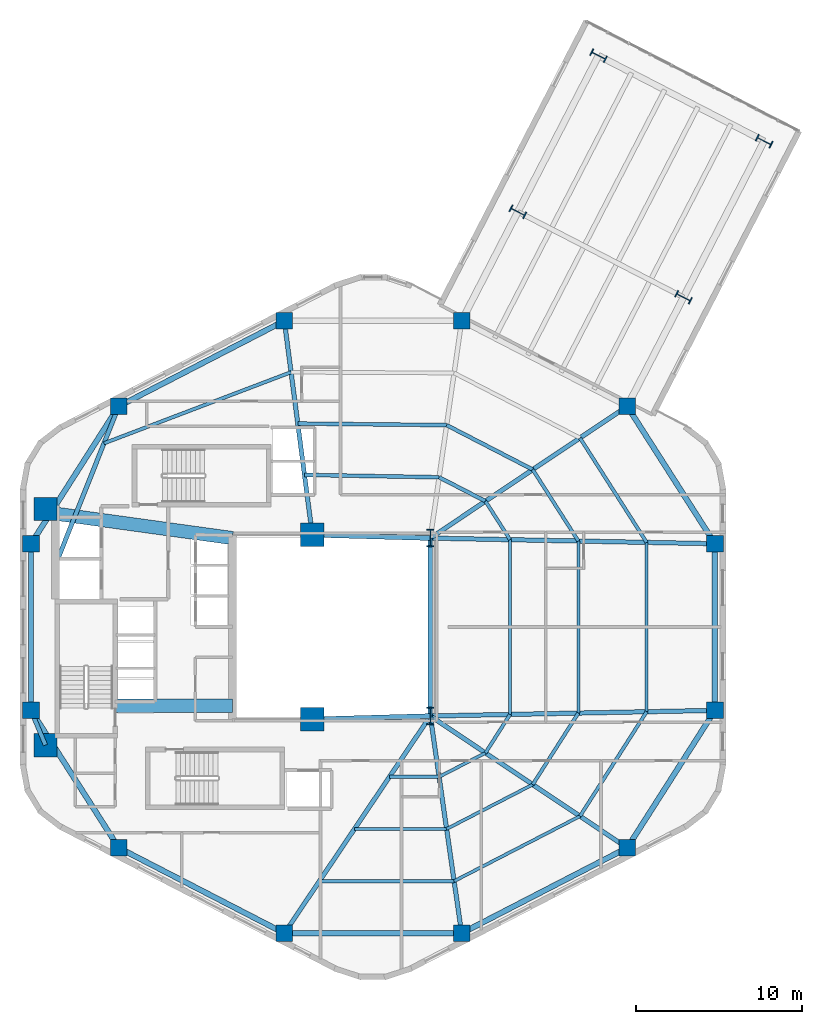
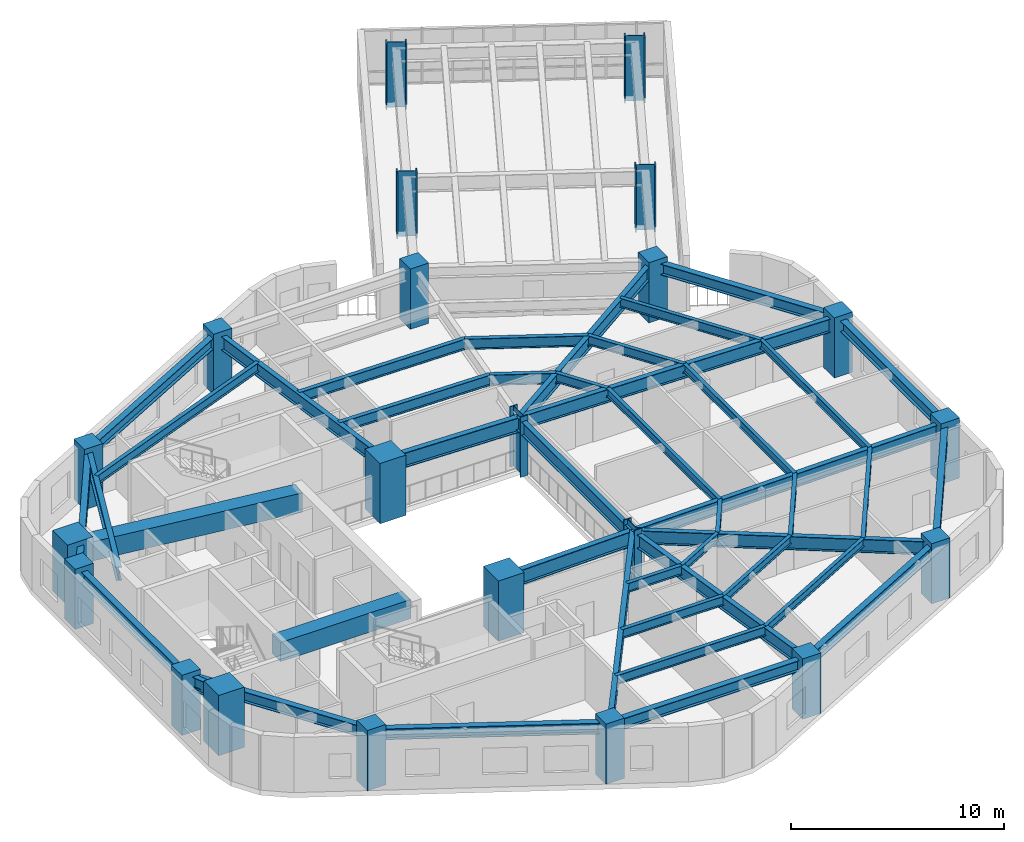
# One storey, part 1 of 10: 44 beams, 22 columns.
"""IFC4 building model written with IfcOpenShell, lengths in metres."""

from ifc_helpers import new_model, si_unit, direction, frame, origin, origin_2d, place, context, subcontext, project, spatial, rectangle, i_section, extrude, material, material_profile, profile_set, type_object, element, save


model = new_model("IFC4")

# Units and contexts
model_context = context("Model", 3, precision=1e-05, world=origin(), true_north=direction((0.0, 1.0)))
body_context = subcontext(model_context, "Body", "Model", "MODEL_VIEW")
ifc_project = project(units=[si_unit("LENGTHUNIT", "METRE"), si_unit("AREAUNIT", "SQUARE_METRE"), si_unit("VOLUMEUNIT", "CUBIC_METRE"), si_unit("PLANEANGLEUNIT", "RADIAN"), si_unit("MASSUNIT", "GRAM", prefix="KILO"), si_unit("THERMODYNAMICTEMPERATUREUNIT", "KELVIN"), si_unit("POWERUNIT", "WATT")], contexts=[model_context])

# Site, building, storey
site_placement = place(None, origin())
site = spatial("IfcSite", under=ifc_project, at=site_placement, CompositionType="ELEMENT")
building_placement = place(site_placement, origin())
building = spatial("IfcBuilding", under=site, at=building_placement, Name="Skarre Station Tower", CompositionType="ELEMENT")
storey_placement = place(building_placement, frame((0.0, 0.0, 111.89990234375)))
storey = spatial("IfcBuildingStorey", under=building, at=storey_placement, Name="L29", CompositionType="ELEMENT", Elevation=111.89990234375)

# Columns
ifc_material_1 = material(Name="Concrete C60/75", Category="concrete")
ifc_material_profile_1 = material_profile(ifc_material_1, rectangle(XDim=1.0, YDim=1.0, at=origin_2d()), Name="Concrete C60/75")
ifc_profile_set_1 = profile_set([ifc_material_profile_1], Name="Concrete C60/75")
column_type_1 = type_object("IfcColumnType", Name="RC Structural Column RC-COL-1000X1000", PredefinedType="COLUMN", material=ifc_profile_set_1)
for number, where, z_axis, x_axis, name in (
    (1, (51.291015625, 37.277099609375, 0.0), (0.0, 0.0, 1.0), (1.0, 0.0, 0.0), "L29 Zone 2 Perimeter Column F0C1"),
    (2, (41.3310546875, 42.41796875, 0.0), (0.0, 0.0, 1.0), (1.0, 0.0, 0.0), "L29 Zone 2 Perimeter Column F0C2"),
    (3, (30.6689453125, 42.41796875, 0.0), (0.0, 0.0, 1.0), (1.0, 0.0, 0.0), "L29 Zone 2 Perimeter Column F1C1"),
    (4, (20.708984375, 37.277099609375, 0.0), (0.0, 0.0, 1.0), (1.0, 0.0, 0.0), "L29 Zone 2 Perimeter Column F1C2"),
    (5, (15.431884765625, 29.010986328125, 0.0), (0.0, 0.0, 1.0), (1.0, 0.0, 0.0), "L29 Zone 2 Perimeter Column F2C1"),
    (6, (15.431884765625, 18.989013671875, 0.0), (0.0, 0.0, 1.0), (1.0, 0.0, 0.0), "L29 Zone 2 Perimeter Column F2C2"),
    (7, (20.708984375, 10.722900390625, 0.0), (0.0, 0.0, 1.0), (1.0, 0.0, 0.0), "L29 Zone 2 Perimeter Column F3C1"),
    (8, (30.6689453125, 5.58203125, 0.0), (0.0, 0.0, 1.0), (1.0, 0.0, 0.0), "L29 Zone 2 Perimeter Column F3C2"),
    (9, (41.3310546875, 5.58203125, 0.0), (0.0, 0.0, 1.0), (1.0, 0.0, 0.0), "L29 Zone 2 Perimeter Column F4C1"),
    (10, (51.291015625, 10.722900390625, 0.0), (0.0, 0.0, 1.0), (1.0, 0.0, 0.0), "L29 Zone 2 Perimeter Column F4C2"),
    (11, (56.568115234375, 18.989013671875, 0.0), (0.0, 0.0, 1.0), (1.0, 0.0, 0.0), "L29 Zone 2 Perimeter Column F5C1"),
    (12, (56.568115234375, 29.010986328125, 0.0), (0.0, 0.0, 1.0), (1.0, 0.0, 0.0), "L29 Zone 2 Perimeter Column F5C2"),
):
    element("IfcColumn", number, at=place(storey_placement, frame(where, z_axis=z_axis, x_axis=x_axis)), inside=storey, type_object=column_type_1, Name=name, PredefinedType="COLUMN", context=body_context, shape_type="SweptSolid", body=[
        extrude(rectangle(XDim=1.0, YDim=1.0, at=origin_2d()), origin(), (0.0, 0.0, 1.0), 3.4501953125),
    ])
ifc_material_2 = material(Name="Concrete C70/85", Category="concrete")
ifc_material_profile_2 = material_profile(ifc_material_2, rectangle(XDim=1.39990234375, YDim=1.39990234375, at=origin_2d()), Name="Concrete C70/85")
ifc_profile_set_2 = profile_set([ifc_material_profile_2], Name="Concrete C70/85")
column_type_2 = type_object("IfcColumnType", Name="RC Structural Column RC-COL-1400X1400", PredefinedType="COLUMN", material=ifc_profile_set_2)
for number, where, z_axis, x_axis, name in (
    (13, (16.300048828125, 16.89990234375, 0.0), (0.0, 0.0, 1.0), (1.0, 0.0, 0.0), "L29 Core Column CC-SW"),
    (14, (16.300048828125, 31.10009765625, 0.0), (0.0, 0.0, 1.0), (1.0, 0.0, 0.0), "L29 Core Column CC-NW"),
    (15, (32.35009765625, 18.449951171875, 0.0), (0.0, 0.0, 1.0), (1.0, 0.0, 0.0), "L29 Core Column CC-SE"),
    (16, (32.35009765625, 29.550048828125, 0.0), (0.0, 0.0, 1.0), (1.0, 0.0, 0.0), "L29 Core Column CC-NE"),
):
    element("IfcColumn", number, at=place(storey_placement, frame(where, z_axis=z_axis, x_axis=x_axis)), inside=storey, type_object=column_type_2, Name=name, PredefinedType="COLUMN", context=body_context, shape_type="SweptSolid", body=[
        extrude(rectangle(XDim=1.39990234375, YDim=1.39990234375, at=origin_2d()), origin(), (0.0, 0.0, 1.0), 3.4501953125),
    ])
ifc_material_3 = material(Name="Steel ASTM A913 Grade 65", Category="steel")
ifc_material_profile_3 = material_profile(ifc_material_3, i_section(OverallWidth=0.430908203125, OverallDepth=0.987060546875, WebThickness=0.033935546875, FlangeThickness=0.06201171875, at=origin_2d()), Name="Steel ASTM A913 Grade 65")
ifc_profile_set_3 = profile_set([ifc_material_profile_3], Name="Steel ASTM A913 Grade 65")
column_type_3 = type_object("IfcColumnType", Name="Steel Column W36X441", PredefinedType="COLUMN", material=ifc_profile_set_3)
for number, where, z_axis, x_axis, name in (
    (17, (54.676025390625, 43.8349609375, -0.289794921875), (0.0, 0.0, 1.0), (0.458649554484, 0.888617232655, 0.0), "L29 SB-2 Sky-Bar Frame Column M1"),
    (18, (44.716064453125, 48.97607421875, -0.289794921875), (0.0, 0.0, 1.0), (0.458649554484, 0.888617232655, 0.0), "L29 SB-2 Sky-Bar Frame Column M2"),
    (19, (59.52392578125, 53.22705078125, -0.289794921875), (0.0, 0.0, 1.0), (0.458649554484, 0.888617232655, 0.0), "L29 SB-2 Sky-Bar Frame Column T1"),
    (20, (49.56396484375, 58.367919921875, -0.289794921875), (0.0, 0.0, 1.0), (0.458649554484, 0.888617232655, 0.0), "L29 SB-2 Sky-Bar Frame Column T2"),
):
    element("IfcColumn", number, at=place(storey_placement, frame(where, z_axis=z_axis, x_axis=x_axis)), inside=storey, type_object=column_type_3, Name=name, PredefinedType="COLUMN", context=body_context, shape_type="SweptSolid", body=[
        extrude(i_section(OverallWidth=0.430908203125, OverallDepth=0.987060546875, WebThickness=0.033935546875, FlangeThickness=0.06201171875, at=origin_2d()), origin(), (0.0, 0.0, 1.0), 3.739990234375),
    ])
ifc_material_profile_4 = material_profile(ifc_material_3, i_section(OverallWidth=0.409912109375, OverallDepth=1.041015625, WebThickness=0.031005859375, FlangeThickness=0.055908203125, at=origin_2d()), Name="Steel ASTM A913 Grade 65")
ifc_profile_set_4 = profile_set([ifc_material_profile_4], Name="Steel ASTM A913 Grade 65")
column_type_4 = type_object("IfcColumnType", Name="Steel Column W40X397", PredefinedType="COLUMN", material=ifc_profile_set_4)
for number, where, z_axis, x_axis, name in (
    (21, (39.449951171875, 18.64990234375, 0.0), (0.0, 0.0, 1.0), (1.0, 0.0, 0.0), "L29 Atrium Spine Column AC-SE"),
    (22, (39.449951171875, 29.35009765625, 0.0), (0.0, 0.0, 1.0), (1.0, 0.0, 0.0), "L29 Atrium Spine Column AC-NE"),
):
    element("IfcColumn", number, at=place(storey_placement, frame(where, z_axis=z_axis, x_axis=x_axis)), inside=storey, type_object=column_type_4, Name=name, PredefinedType="COLUMN", context=body_context, shape_type="SweptSolid", body=[
        extrude(i_section(OverallWidth=0.409912109375, OverallDepth=1.041015625, WebThickness=0.031005859375, FlangeThickness=0.055908203125, at=origin_2d()), origin(), (0.0, 0.0, 1.0), 3.4501953125),
    ])

# Beams
ifc_material_profile_5 = material_profile(ifc_material_2, rectangle(XDim=0.800048828125, YDim=1.10009765625, at=origin_2d()), Name="Concrete C70/85")
ifc_profile_set_5 = profile_set([ifc_material_profile_5], Name="Concrete C70/85")
beam_type_1 = type_object("IfcBeamType", Name="RC Core Coupling Lintel 800x1100", PredefinedType="LINTEL", material=ifc_profile_set_5)
beam_1_placement = place(storey_placement, frame((20.489990234375, 19.260009765625, 2.610107421875), z_axis=(1.0, 0.0, 0.0), x_axis=(0.0, 1.0, 0.0)))
element("IfcBeam", 23, at=beam_1_placement, inside=storey, type_object=beam_type_1, Name="L29 South Core Coupling Lintel", PredefinedType="LINTEL", context=body_context, shape_type="SweptSolid", body=[
    extrude(rectangle(XDim=0.800048828125, YDim=1.10009765625, at=origin_2d()), origin(), (0.0, 0.0, 1.0), 7.06005859375),
])
beam_2_placement = place(storey_placement, frame((17.050048828125, 30.800048828125, 2.610107421875), z_axis=(0.990599723633, -0.136792498109, 0.0), x_axis=(0.136792498109, 0.990599723633, 0.0)))
element("IfcBeam", 24, at=beam_2_placement, inside=storey, type_object=beam_type_1, Name="L29 North Core Coupling Lintel", PredefinedType="LINTEL", context=body_context, shape_type="SweptSolid", body=[
    extrude(rectangle(XDim=0.800048828125, YDim=1.10009765625, at=origin_2d()), origin(), (0.0, 0.0, 1.0), 10.599609375),
])
ifc_material_4 = material(Name="Steel ASTM A992 Grade 50", Category="steel")
ifc_material_profile_6 = material_profile(ifc_material_4, i_section(OverallWidth=0.26806640625, OverallDepth=0.77001953125, WebThickness=0.01611328125, FlangeThickness=0.02490234375, at=origin_2d()), Name="Steel ASTM A992 Grade 50")
ifc_profile_set_6 = profile_set([ifc_material_profile_6], Name="Steel ASTM A992 Grade 50")
beam_type_2 = type_object("IfcBeamType", Name="Steel Beam W30X132", PredefinedType="BEAM", material=ifc_profile_set_6)
beam_3_placement = place(storey_placement, frame((39.449951171875, 18.64990234375, 2.775146484375), z_axis=(0.0, 1.0, 0.0), x_axis=(-1.0, 0.0, 0.0)))
element("IfcBeam", 25, at=beam_3_placement, inside=storey, type_object=beam_type_2, Name="L29 Atrium East Edge Girder", PredefinedType="BEAM", context=body_context, shape_type="SweptSolid", body=[
    extrude(i_section(OverallWidth=0.26806640625, OverallDepth=0.77001953125, WebThickness=0.01611328125, FlangeThickness=0.02490234375, at=origin_2d()), origin(), (0.0, 0.0, 1.0), 10.7001953125),
])
beam_4_placement = place(storey_placement, frame((39.449951171875, 29.35009765625, 2.775146484375), z_axis=(0.830981218317, 0.556300471692, 0.0), x_axis=(-0.556300471692, 0.830981218317, 0.0)))
element("IfcBeam", 26, at=beam_4_placement, inside=storey, type_object=beam_type_2, Name="L29 Radial Floor Girder F0C1", PredefinedType="BEAM", context=body_context, shape_type="SweptSolid", body=[
    extrude(i_section(OverallWidth=0.26806640625, OverallDepth=0.77001953125, WebThickness=0.01611328125, FlangeThickness=0.02490234375, at=origin_2d()), origin(), (0.0, 0.0, 1.0), 14.24951171875),
])
beam_5_placement = place(storey_placement, frame((32.35009765625, 29.550048828125, 2.775146484375), z_axis=(-0.129545878778, 0.991573429097, 0.0), x_axis=(-0.991573429097, -0.129545878778, 0.0)))
element("IfcBeam", 27, at=beam_5_placement, inside=storey, type_object=beam_type_2, Name="L29 Radial Floor Girder F1C1", PredefinedType="BEAM", context=body_context, shape_type="SweptSolid", body=[
    extrude(i_section(OverallWidth=0.26806640625, OverallDepth=0.77001953125, WebThickness=0.01611328125, FlangeThickness=0.02490234375, at=origin_2d()), origin(), (0.0, 0.0, 1.0), 12.977294921875),
])
beam_6_placement = place(storey_placement, frame((17.010009765625, 28.0, 2.775146484375), z_axis=(0.370366288946, 0.928885790618, 0.0), x_axis=(-0.928885790618, 0.370366288946, 0.0)))
element("IfcBeam", 28, at=beam_6_placement, inside=storey, type_object=beam_type_2, Name="L29 Radial Floor Girder F1C2", PredefinedType="BEAM", context=body_context, shape_type="SweptSolid", body=[
    extrude(i_section(OverallWidth=0.26806640625, OverallDepth=0.77001953125, WebThickness=0.01611328125, FlangeThickness=0.02490234375, at=origin_2d()), origin(), (0.0, 0.0, 1.0), 9.9873046875),
])
beam_7_placement = place(storey_placement, frame((16.300048828125, 16.89990234375, 2.775146484375), z_axis=(-0.383749333092, 0.923437301256, 0.0), x_axis=(-0.923437301256, -0.383749333092, 0.0)))
element("IfcBeam", 29, at=beam_7_placement, inside=storey, type_object=beam_type_2, Name="L29 Radial Floor Girder F2C2", PredefinedType="BEAM", context=body_context, shape_type="SweptSolid", body=[
    extrude(i_section(OverallWidth=0.26806640625, OverallDepth=0.77001953125, WebThickness=0.01611328125, FlangeThickness=0.02490234375, at=origin_2d()), origin(), (0.0, 0.0, 1.0), 2.26220703125),
])
beam_8_placement = place(storey_placement, frame((39.449951171875, 18.64990234375, 2.775146484375), z_axis=(-0.55773464691, -0.830019315219, 0.0), x_axis=(0.830019315219, -0.55773464691, 0.0)))
element("IfcBeam", 30, at=beam_8_placement, inside=storey, type_object=beam_type_2, Name="L29 Radial Floor Girder F3C2", PredefinedType="BEAM", context=body_context, shape_type="SweptSolid", body=[
    extrude(i_section(OverallWidth=0.26806640625, OverallDepth=0.77001953125, WebThickness=0.01611328125, FlangeThickness=0.02490234375, at=origin_2d()), origin(), (0.0, 0.0, 1.0), 15.744140625),
])
beam_9_placement = place(storey_placement, frame((39.449951171875, 18.64990234375, 2.775146484375), z_axis=(0.142480121776, -0.989797663616, 0.0), x_axis=(0.989797663616, 0.142480121776, 0.0)))
element("IfcBeam", 31, at=beam_9_placement, inside=storey, type_object=beam_type_2, Name="L29 Radial Floor Girder F4C1", PredefinedType="BEAM", context=body_context, shape_type="SweptSolid", body=[
    extrude(i_section(OverallWidth=0.26806640625, OverallDepth=0.77001953125, WebThickness=0.01611328125, FlangeThickness=0.02490234375, at=origin_2d()), origin(), (0.0, 0.0, 1.0), 13.20263671875),
])
beam_10_placement = place(storey_placement, frame((39.449951171875, 18.64990234375, 2.775146484375), z_axis=(0.830981218317, -0.556300471692, 0.0), x_axis=(0.556300471692, 0.830981218317, 0.0)))
element("IfcBeam", 32, at=beam_10_placement, inside=storey, type_object=beam_type_2, Name="L29 Radial Floor Girder F4C2", PredefinedType="BEAM", context=body_context, shape_type="SweptSolid", body=[
    extrude(i_section(OverallWidth=0.26806640625, OverallDepth=0.77001953125, WebThickness=0.01611328125, FlangeThickness=0.02490234375, at=origin_2d()), origin(), (0.0, 0.0, 1.0), 14.24951171875),
])
for number, where, z_axis, x_axis, name in (
    (33, (39.449951171875, 18.64990234375, 2.775146484375), (0.999803839107, 0.019806143142, 0.0), (-0.019806143142, 0.999803839107, 0.0), "L29 Radial Floor Girder F5C1"),
    (34, (39.449951171875, 29.35009765625, 2.775146484375), (0.999803839107, -0.019806143142, 0.0), (0.019806143142, 0.999803839107, 0.0), "L29 Radial Floor Girder F5C2"),
):
    element("IfcBeam", number, at=place(storey_placement, frame(where, z_axis=z_axis, x_axis=x_axis)), inside=storey, type_object=beam_type_2, Name=name, PredefinedType="BEAM", context=body_context, shape_type="SweptSolid", body=[
        extrude(i_section(OverallWidth=0.26806640625, OverallDepth=0.77001953125, WebThickness=0.01611328125, FlangeThickness=0.02490234375, at=origin_2d()), origin(), (0.0, 0.0, 1.0), 17.12158203125),
    ])
ifc_material_profile_7 = material_profile(ifc_material_4, i_section(OverallWidth=0.2919921875, OverallDepth=0.85888671875, WebThickness=0.01708984375, FlangeThickness=0.031005859375, at=origin_2d()), Name="Steel ASTM A992 Grade 50")
ifc_profile_set_7 = profile_set([ifc_material_profile_7], Name="Steel ASTM A992 Grade 50")
beam_type_3 = type_object("IfcBeamType", Name="Steel Beam W33X169", PredefinedType="BEAM", material=ifc_profile_set_7)
for number, where, z_axis, x_axis, name in (
    (35, (32.35009765625, 18.449951171875, 2.72998046875), (0.999603666405, 0.028151556095, 0.0), (-0.028151556095, 0.999603666405, 0.0), "L29 Atrium South Edge Girder"),
    (36, (32.35009765625, 29.550048828125, 2.72998046875), (0.999603666405, -0.028151556095, 0.0), (0.028151556095, 0.999603666405, 0.0), "L29 Atrium North Edge Girder"),
):
    element("IfcBeam", number, at=place(storey_placement, frame(where, z_axis=z_axis, x_axis=x_axis)), inside=storey, type_object=beam_type_3, Name=name, PredefinedType="BEAM", context=body_context, shape_type="SweptSolid", body=[
        extrude(i_section(OverallWidth=0.2919921875, OverallDepth=0.85888671875, WebThickness=0.01708984375, FlangeThickness=0.031005859375, at=origin_2d()), origin(), (0.0, 0.0, 1.0), 7.102783203125),
    ])
ifc_material_profile_8 = material_profile(ifc_material_4, i_section(OverallWidth=0.19091796875, OverallDepth=0.45703125, WebThickness=0.009033203125, FlangeThickness=0.013916015625, at=origin_2d()), Name="Steel ASTM A992 Grade 50")
ifc_profile_set_8 = profile_set([ifc_material_profile_8], Name="Steel ASTM A992 Grade 50")
beam_type_4 = type_object("IfcBeamType", Name="Steel Joist W18X50", PredefinedType="JOIST", material=ifc_profile_set_8)
beam_11_placement = place(storey_placement, frame((39.97705078125, 14.990966796875, 2.93212890625), z_axis=(0.88861042596, 0.458662741975, 0.0), x_axis=(-0.458662741975, 0.88861042596, 0.0)))
element("IfcBeam", 37, at=beam_11_placement, inside=storey, type_object=beam_type_4, Name="L29 Auxiliary Composite Joist 13", PredefinedType="JOIST", context=body_context, shape_type="SweptSolid", body=[
    extrude(i_section(OverallWidth=0.19091796875, OverallDepth=0.45703125, WebThickness=0.009033203125, FlangeThickness=0.013916015625, at=origin_2d()), origin(), (0.0, 0.0, 1.0), 3.13720703125),
])
beam_12_placement = place(storey_placement, frame((40.427978515625, 11.85498046875, 2.93212890625), z_axis=(0.888614598919, 0.458654657218, 0.0), x_axis=(-0.458654657218, 0.888614598919, 0.0)))
element("IfcBeam", 38, at=beam_12_placement, inside=storey, type_object=beam_type_4, Name="L29 Auxiliary Composite Joist 14", PredefinedType="JOIST", context=body_context, shape_type="SweptSolid", body=[
    extrude(i_section(OverallWidth=0.19091796875, OverallDepth=0.45703125, WebThickness=0.009033203125, FlangeThickness=0.013916015625, at=origin_2d()), origin(), (0.0, 0.0, 1.0), 5.828125),
])
beam_13_placement = place(storey_placement, frame((40.8798828125, 8.718017578125, 2.93212890625), z_axis=(0.888603699553, 0.45867577344, 0.0), x_axis=(-0.45867577344, 0.888603699553, 0.0)))
element("IfcBeam", 39, at=beam_13_placement, inside=storey, type_object=beam_type_4, Name="L29 Auxiliary Composite Joist 15", PredefinedType="JOIST", context=body_context, shape_type="SweptSolid", body=[
    extrude(i_section(OverallWidth=0.19091796875, OverallDepth=0.45703125, WebThickness=0.009033203125, FlangeThickness=0.013916015625, at=origin_2d()), origin(), (0.0, 0.0, 1.0), 8.51806640625),
])
beam_14_placement = place(storey_placement, frame((44.242919921875, 18.7451171875, 2.93212890625), z_axis=(0.0, 1.0, 0.0), x_axis=(-1.0, 0.0, 0.0)))
element("IfcBeam", 40, at=beam_14_placement, inside=storey, type_object=beam_type_4, Name="L29 Auxiliary Composite Joist 19", PredefinedType="JOIST", context=body_context, shape_type="SweptSolid", body=[
    extrude(i_section(OverallWidth=0.19091796875, OverallDepth=0.45703125, WebThickness=0.009033203125, FlangeThickness=0.013916015625, at=origin_2d()), origin(), (0.0, 0.0, 1.0), 10.509765625),
])
beam_15_placement = place(storey_placement, frame((48.35107421875, 18.825927734375, 2.93212890625), z_axis=(0.0, 1.0, 0.0), x_axis=(-1.0, 0.0, 0.0)))
element("IfcBeam", 41, at=beam_15_placement, inside=storey, type_object=beam_type_4, Name="L29 Auxiliary Composite Joist 20", PredefinedType="JOIST", context=body_context, shape_type="SweptSolid", body=[
    extrude(i_section(OverallWidth=0.19091796875, OverallDepth=0.45703125, WebThickness=0.009033203125, FlangeThickness=0.013916015625, at=origin_2d()), origin(), (0.0, 0.0, 1.0), 10.34814453125),
])
beam_16_placement = place(storey_placement, frame((52.4599609375, 18.907958984375, 2.93212890625), z_axis=(0.0, 1.0, 0.0), x_axis=(-1.0, 0.0, 0.0)))
element("IfcBeam", 42, at=beam_16_placement, inside=storey, type_object=beam_type_4, Name="L29 Auxiliary Composite Joist 21", PredefinedType="JOIST", context=body_context, shape_type="SweptSolid", body=[
    extrude(i_section(OverallWidth=0.19091796875, OverallDepth=0.45703125, WebThickness=0.009033203125, FlangeThickness=0.013916015625, at=origin_2d()), origin(), (0.0, 0.0, 1.0), 10.18408203125),
])
ifc_material_profile_9 = material_profile(ifc_material_4, i_section(OverallWidth=0.208984375, OverallDepth=0.532958984375, WebThickness=0.010009765625, FlangeThickness=0.01611328125, at=origin_2d()), Name="Steel ASTM A992 Grade 50")
ifc_profile_set_9 = profile_set([ifc_material_profile_9], Name="Steel ASTM A992 Grade 50")
beam_type_5 = type_object("IfcBeamType", Name="Steel Joist W21X62", PredefinedType="JOIST", material=ifc_profile_set_9)
beam_17_placement = place(storey_placement, frame((31.072021484375, 39.330078125, 2.89404296875), z_axis=(-0.934681982826, -0.355485008094, 0.0), x_axis=(0.355485008094, -0.934681982826, 0.0)))
element("IfcBeam", 43, at=beam_17_placement, inside=storey, type_object=beam_type_5, Name="L29 Auxiliary Composite Joist 9", PredefinedType="JOIST", context=body_context, shape_type="SweptSolid", body=[
    extrude(i_section(OverallWidth=0.208984375, OverallDepth=0.532958984375, WebThickness=0.010009765625, FlangeThickness=0.01611328125, at=origin_2d()), origin(), (0.0, 0.0, 1.0), 12.037109375),
])
beam_18_placement = place(storey_placement, frame((36.990966796875, 14.990966796875, 2.89404296875), z_axis=(1.0, 0.0, 0.0), x_axis=(0.0, 1.0, 0.0)))
element("IfcBeam", 44, at=beam_18_placement, inside=storey, type_object=beam_type_5, Name="L29 Auxiliary Composite Joist 10", PredefinedType="JOIST", context=body_context, shape_type="SweptSolid", body=[
    extrude(i_section(OverallWidth=0.208984375, OverallDepth=0.532958984375, WebThickness=0.010009765625, FlangeThickness=0.01611328125, at=origin_2d()), origin(), (0.0, 0.0, 1.0), 2.986083984375),
])
beam_19_placement = place(storey_placement, frame((34.884033203125, 11.85498046875, 2.89404296875), z_axis=(1.0, 0.0, 0.0), x_axis=(0.0, 1.0, 0.0)))
element("IfcBeam", 45, at=beam_19_placement, inside=storey, type_object=beam_type_5, Name="L29 Auxiliary Composite Joist 11", PredefinedType="JOIST", context=body_context, shape_type="SweptSolid", body=[
    extrude(i_section(OverallWidth=0.208984375, OverallDepth=0.532958984375, WebThickness=0.010009765625, FlangeThickness=0.01611328125, at=origin_2d()), origin(), (0.0, 0.0, 1.0), 5.5439453125),
])
beam_20_placement = place(storey_placement, frame((32.77587890625, 8.718017578125, 2.89404296875), z_axis=(1.0, 0.0, 0.0), x_axis=(0.0, 1.0, 0.0)))
element("IfcBeam", 46, at=beam_20_placement, inside=storey, type_object=beam_type_5, Name="L29 Auxiliary Composite Joist 12", PredefinedType="JOIST", context=body_context, shape_type="SweptSolid", body=[
    extrude(i_section(OverallWidth=0.208984375, OverallDepth=0.532958984375, WebThickness=0.010009765625, FlangeThickness=0.01611328125, at=origin_2d()), origin(), (0.0, 0.0, 1.0), 8.10400390625),
])
beam_21_placement = place(storey_placement, frame((42.764892578125, 16.429931640625, 2.89404296875), z_axis=(0.538099948257, 0.84288103887, 0.0), x_axis=(-0.84288103887, 0.538099948257, 0.0)))
element("IfcBeam", 47, at=beam_21_placement, inside=storey, type_object=beam_type_5, Name="L29 Auxiliary Composite Joist 16", PredefinedType="JOIST", context=body_context, shape_type="SweptSolid", body=[
    extrude(i_section(OverallWidth=0.208984375, OverallDepth=0.532958984375, WebThickness=0.010009765625, FlangeThickness=0.01611328125, at=origin_2d()), origin(), (0.0, 0.0, 1.0), 2.746826171875),
])
beam_22_placement = place(storey_placement, frame((45.60693359375, 14.528076171875, 2.89404296875), z_axis=(0.538151254938, 0.842848282201, 0.0), x_axis=(-0.842848282201, 0.538151254938, 0.0)))
element("IfcBeam", 48, at=beam_22_placement, inside=storey, type_object=beam_type_5, Name="L29 Auxiliary Composite Joist 17", PredefinedType="JOIST", context=body_context, shape_type="SweptSolid", body=[
    extrude(i_section(OverallWidth=0.208984375, OverallDepth=0.532958984375, WebThickness=0.010009765625, FlangeThickness=0.01611328125, at=origin_2d()), origin(), (0.0, 0.0, 1.0), 5.09912109375),
])
beam_23_placement = place(storey_placement, frame((48.448974609375, 12.625, 2.89404296875), z_axis=(0.53809140179, 0.842886494921, 0.0), x_axis=(-0.842886494921, 0.53809140179, 0.0)))
element("IfcBeam", 49, at=beam_23_placement, inside=storey, type_object=beam_type_5, Name="L29 Auxiliary Composite Joist 18", PredefinedType="JOIST", context=body_context, shape_type="SweptSolid", body=[
    extrude(i_section(OverallWidth=0.208984375, OverallDepth=0.532958984375, WebThickness=0.010009765625, FlangeThickness=0.01611328125, at=origin_2d()), origin(), (0.0, 0.0, 1.0), 7.4541015625),
])
beam_24_placement = place(storey_placement, frame((44.242919921875, 29.2548828125, 2.89404296875), z_axis=(-0.538099948257, 0.84288103887, 0.0), x_axis=(-0.84288103887, -0.538099948257, 0.0)))
element("IfcBeam", 50, at=beam_24_placement, inside=storey, type_object=beam_type_5, Name="L29 Auxiliary Composite Joist 22", PredefinedType="JOIST", context=body_context, shape_type="SweptSolid", body=[
    extrude(i_section(OverallWidth=0.208984375, OverallDepth=0.532958984375, WebThickness=0.010009765625, FlangeThickness=0.01611328125, at=origin_2d()), origin(), (0.0, 0.0, 1.0), 2.746826171875),
])
beam_25_placement = place(storey_placement, frame((48.35107421875, 29.174072265625, 2.89404296875), z_axis=(-0.538151254938, 0.842848282201, 0.0), x_axis=(-0.842848282201, -0.538151254938, 0.0)))
element("IfcBeam", 51, at=beam_25_placement, inside=storey, type_object=beam_type_5, Name="L29 Auxiliary Composite Joist 23", PredefinedType="JOIST", context=body_context, shape_type="SweptSolid", body=[
    extrude(i_section(OverallWidth=0.208984375, OverallDepth=0.532958984375, WebThickness=0.010009765625, FlangeThickness=0.01611328125, at=origin_2d()), origin(), (0.0, 0.0, 1.0), 5.09912109375),
])
beam_26_placement = place(storey_placement, frame((52.4599609375, 29.092041015625, 2.89404296875), z_axis=(-0.53809140179, 0.842886494921, 0.0), x_axis=(-0.842886494921, -0.53809140179, 0.0)))
element("IfcBeam", 52, at=beam_26_placement, inside=storey, type_object=beam_type_5, Name="L29 Auxiliary Composite Joist 24", PredefinedType="JOIST", context=body_context, shape_type="SweptSolid", body=[
    extrude(i_section(OverallWidth=0.208984375, OverallDepth=0.532958984375, WebThickness=0.010009765625, FlangeThickness=0.01611328125, at=origin_2d()), origin(), (0.0, 0.0, 1.0), 7.4541015625),
])
ifc_material_profile_10 = material_profile(ifc_material_4, i_section(OverallWidth=0.22802734375, OverallDepth=0.60791015625, WebThickness=0.010986328125, FlangeThickness=0.01708984375, at=origin_2d()), Name="Steel ASTM A992 Grade 50")
ifc_profile_set_10 = profile_set([ifc_material_profile_10], Name="Steel ASTM A992 Grade 50")
beam_type_6 = type_object("IfcBeamType", Name="Steel Joist W24X76", PredefinedType="JOIST", material=ifc_profile_set_10)
beam_27_placement = place(storey_placement, frame((42.764892578125, 31.570068359375, 2.856201171875), z_axis=(-0.88861042596, 0.458662741975, 0.0), x_axis=(-0.458662741975, -0.88861042596, 0.0)))
element("IfcBeam", 53, at=beam_27_placement, inside=storey, type_object=beam_type_6, Name="L29 Secondary Floor Joist 1", PredefinedType="JOIST", context=body_context, shape_type="SweptSolid", body=[
    extrude(i_section(OverallWidth=0.22802734375, OverallDepth=0.60791015625, WebThickness=0.010986328125, FlangeThickness=0.01708984375, at=origin_2d()), origin(), (0.0, 0.0, 1.0), 3.13720703125),
])
beam_28_placement = place(storey_placement, frame((45.60693359375, 33.471923828125, 2.856201171875), z_axis=(-0.888614598919, 0.458654657218, 0.0), x_axis=(-0.458654657218, -0.888614598919, 0.0)))
element("IfcBeam", 54, at=beam_28_placement, inside=storey, type_object=beam_type_6, Name="L29 Secondary Floor Joist 2", PredefinedType="JOIST", context=body_context, shape_type="SweptSolid", body=[
    extrude(i_section(OverallWidth=0.22802734375, OverallDepth=0.60791015625, WebThickness=0.010986328125, FlangeThickness=0.01708984375, at=origin_2d()), origin(), (0.0, 0.0, 1.0), 5.828125),
])
beam_29_placement = place(storey_placement, frame((39.97705078125, 33.009033203125, 2.856201171875), z_axis=(-0.999841846049, 0.01778434396, 0.0), x_axis=(-0.01778434396, -0.999841846049, 0.0)))
element("IfcBeam", 55, at=beam_29_placement, inside=storey, type_object=beam_type_6, Name="L29 Secondary Floor Joist 4", PredefinedType="JOIST", context=body_context, shape_type="SweptSolid", body=[
    extrude(i_section(OverallWidth=0.22802734375, OverallDepth=0.60791015625, WebThickness=0.010986328125, FlangeThickness=0.01708984375, at=origin_2d()), origin(), (0.0, 0.0, 1.0), 8.099365234375),
])
beam_30_placement = place(storey_placement, frame((40.427978515625, 36.14501953125, 2.856201171875), z_axis=(-0.999942566282, 0.010717468802, 0.0), x_axis=(-0.010717468802, -0.999942566282, 0.0)))
element("IfcBeam", 56, at=beam_30_placement, inside=storey, type_object=beam_type_6, Name="L29 Secondary Floor Joist 5", PredefinedType="JOIST", context=body_context, shape_type="SweptSolid", body=[
    extrude(i_section(OverallWidth=0.22802734375, OverallDepth=0.60791015625, WebThickness=0.010986328125, FlangeThickness=0.01708984375, at=origin_2d()), origin(), (0.0, 0.0, 1.0), 8.952392578125),
])
ifc_material_profile_11 = material_profile(ifc_material_4, i_section(OverallWidth=0.327880859375, OverallDepth=0.6279296875, WebThickness=0.01708984375, FlangeThickness=0.028076171875, at=origin_2d()), Name="Steel ASTM A992 Grade 50")
ifc_profile_set_11 = profile_set([ifc_material_profile_11], Name="Steel ASTM A992 Grade 50")
beam_type_7 = type_object("IfcBeamType", Name="Steel Spandrel W24X146", PredefinedType="SPANDREL", material=ifc_profile_set_11)
beam_31_placement = place(storey_placement, frame((30.6689453125, 42.41796875, 2.84619140625), z_axis=(-0.888611779493, -0.458660119639, 0.0), x_axis=(0.458660119639, -0.888611779493, 0.0)))
element("IfcBeam", 57, at=beam_31_placement, inside=storey, type_object=beam_type_7, Name="L29 Facet Spandrel Beam 3", PredefinedType="SPANDREL", context=body_context, shape_type="SweptSolid", body=[
    extrude(i_section(OverallWidth=0.327880859375, OverallDepth=0.6279296875, WebThickness=0.01708984375, FlangeThickness=0.028076171875, at=origin_2d()), origin(), (0.0, 0.0, 1.0), 11.20849609375),
])
beam_32_placement = place(storey_placement, frame((20.708984375, 37.277099609375, 2.84619140625), z_axis=(-0.538097547923, -0.842882571251, 0.0), x_axis=(0.842882571251, -0.538097547923, 0.0)))
element("IfcBeam", 58, at=beam_32_placement, inside=storey, type_object=beam_type_7, Name="L29 Facet Spandrel Beam 4", PredefinedType="SPANDREL", context=body_context, shape_type="SweptSolid", body=[
    extrude(i_section(OverallWidth=0.327880859375, OverallDepth=0.6279296875, WebThickness=0.01708984375, FlangeThickness=0.028076171875, at=origin_2d()), origin(), (0.0, 0.0, 1.0), 9.806884765625),
])
beam_33_placement = place(storey_placement, frame((15.431884765625, 29.010986328125, 2.84619140625), z_axis=(0.0, -1.0, 0.0), x_axis=(1.0, 0.0, 0.0)))
element("IfcBeam", 59, at=beam_33_placement, inside=storey, type_object=beam_type_7, Name="L29 Facet Spandrel Beam 5", PredefinedType="SPANDREL", context=body_context, shape_type="SweptSolid", body=[
    extrude(i_section(OverallWidth=0.327880859375, OverallDepth=0.6279296875, WebThickness=0.01708984375, FlangeThickness=0.028076171875, at=origin_2d()), origin(), (0.0, 0.0, 1.0), 10.02197265625),
])
beam_34_placement = place(storey_placement, frame((15.431884765625, 18.989013671875, 2.84619140625), z_axis=(0.538097547923, -0.842882571251, 0.0), x_axis=(0.842882571251, 0.538097547923, 0.0)))
element("IfcBeam", 60, at=beam_34_placement, inside=storey, type_object=beam_type_7, Name="L29 Facet Spandrel Beam 6", PredefinedType="SPANDREL", context=body_context, shape_type="SweptSolid", body=[
    extrude(i_section(OverallWidth=0.327880859375, OverallDepth=0.6279296875, WebThickness=0.01708984375, FlangeThickness=0.028076171875, at=origin_2d()), origin(), (0.0, 0.0, 1.0), 9.806884765625),
])
beam_35_placement = place(storey_placement, frame((20.708984375, 10.722900390625, 2.84619140625), z_axis=(0.888611779493, -0.458660119639, 0.0), x_axis=(0.458660119639, 0.888611779493, 0.0)))
element("IfcBeam", 61, at=beam_35_placement, inside=storey, type_object=beam_type_7, Name="L29 Facet Spandrel Beam 7", PredefinedType="SPANDREL", context=body_context, shape_type="SweptSolid", body=[
    extrude(i_section(OverallWidth=0.327880859375, OverallDepth=0.6279296875, WebThickness=0.01708984375, FlangeThickness=0.028076171875, at=origin_2d()), origin(), (0.0, 0.0, 1.0), 11.20849609375),
])
beam_36_placement = place(storey_placement, frame((30.6689453125, 5.58203125, 2.84619140625), z_axis=(1.0, 0.0, 0.0), x_axis=(0.0, 1.0, 0.0)))
element("IfcBeam", 62, at=beam_36_placement, inside=storey, type_object=beam_type_7, Name="L29 Facet Spandrel Beam 8", PredefinedType="SPANDREL", context=body_context, shape_type="SweptSolid", body=[
    extrude(i_section(OverallWidth=0.327880859375, OverallDepth=0.6279296875, WebThickness=0.01708984375, FlangeThickness=0.028076171875, at=origin_2d()), origin(), (0.0, 0.0, 1.0), 10.662109375),
])
beam_37_placement = place(storey_placement, frame((41.3310546875, 5.58203125, 2.84619140625), z_axis=(0.888611779493, 0.458660119639, 0.0), x_axis=(-0.458660119639, 0.888611779493, 0.0)))
element("IfcBeam", 63, at=beam_37_placement, inside=storey, type_object=beam_type_7, Name="L29 Facet Spandrel Beam 9", PredefinedType="SPANDREL", context=body_context, shape_type="SweptSolid", body=[
    extrude(i_section(OverallWidth=0.327880859375, OverallDepth=0.6279296875, WebThickness=0.01708984375, FlangeThickness=0.028076171875, at=origin_2d()), origin(), (0.0, 0.0, 1.0), 11.20849609375),
])
beam_38_placement = place(storey_placement, frame((51.291015625, 10.722900390625, 2.84619140625), z_axis=(0.538097547923, 0.842882571251, 0.0), x_axis=(-0.842882571251, 0.538097547923, 0.0)))
element("IfcBeam", 64, at=beam_38_placement, inside=storey, type_object=beam_type_7, Name="L29 Facet Spandrel Beam 10", PredefinedType="SPANDREL", context=body_context, shape_type="SweptSolid", body=[
    extrude(i_section(OverallWidth=0.327880859375, OverallDepth=0.6279296875, WebThickness=0.01708984375, FlangeThickness=0.028076171875, at=origin_2d()), origin(), (0.0, 0.0, 1.0), 9.806884765625),
])
beam_39_placement = place(storey_placement, frame((56.568115234375, 18.989013671875, 2.84619140625), z_axis=(0.0, 1.0, 0.0), x_axis=(-1.0, 0.0, 0.0)))
element("IfcBeam", 65, at=beam_39_placement, inside=storey, type_object=beam_type_7, Name="L29 Facet Spandrel Beam 11", PredefinedType="SPANDREL", context=body_context, shape_type="SweptSolid", body=[
    extrude(i_section(OverallWidth=0.327880859375, OverallDepth=0.6279296875, WebThickness=0.01708984375, FlangeThickness=0.028076171875, at=origin_2d()), origin(), (0.0, 0.0, 1.0), 10.02197265625),
])
beam_40_placement = place(storey_placement, frame((56.568115234375, 29.010986328125, 2.84619140625), z_axis=(-0.538097547923, 0.842882571251, 0.0), x_axis=(-0.842882571251, -0.538097547923, 0.0)))
element("IfcBeam", 66, at=beam_40_placement, inside=storey, type_object=beam_type_7, Name="L29 Facet Spandrel Beam 12", PredefinedType="SPANDREL", context=body_context, shape_type="SweptSolid", body=[
    extrude(i_section(OverallWidth=0.327880859375, OverallDepth=0.6279296875, WebThickness=0.01708984375, FlangeThickness=0.028076171875, at=origin_2d()), origin(), (0.0, 0.0, 1.0), 9.806884765625),
])

save(model, "model.ifc")
